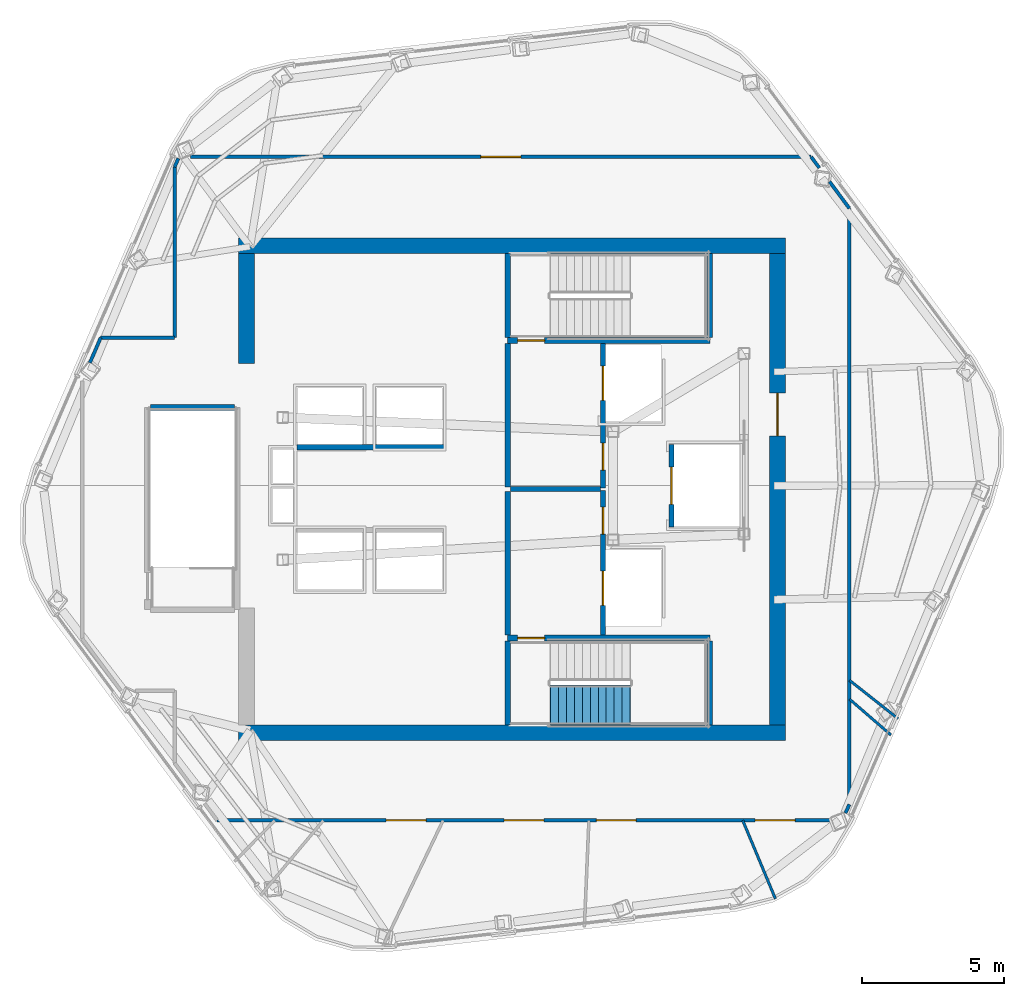
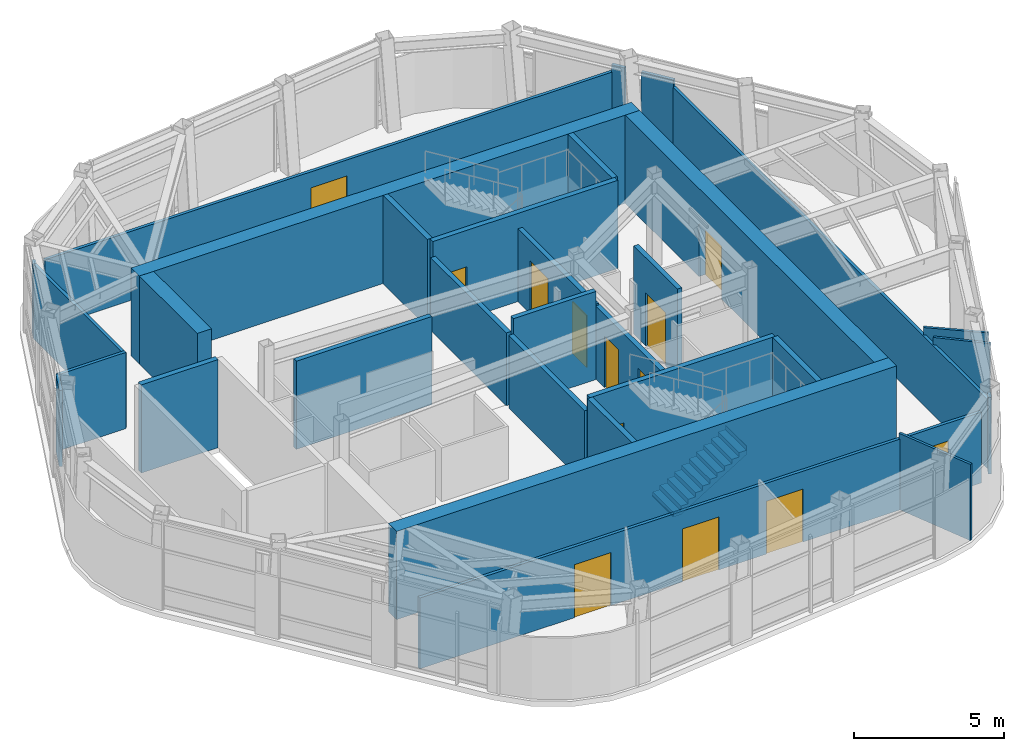
# One storey, part 6 of 11: 31 walls, 13 doors, 1 stair flight, 13 openings, 1 element without a shape of its own.
"""IFC4 building model written with IfcOpenShell, lengths in metres."""

from ifc_helpers import new_model, si_unit, direction, frame, frame_2d, origin, place, context, subcontext, project, spatial, polyline, rectangle, outline, extrude, material, layer, layer_set, type_object, element, fill, aggregate, save


model = new_model("IFC4")

# Units and contexts
model_context = context("Model", 3, precision=1e-05, world=origin(), true_north=direction((0.0, 1.0)))
body_context = subcontext(model_context, "Body", "Model", "MODEL_VIEW")
ifc_project = project(units=[si_unit("LENGTHUNIT", "METRE"), si_unit("AREAUNIT", "SQUARE_METRE"), si_unit("VOLUMEUNIT", "CUBIC_METRE"), si_unit("PLANEANGLEUNIT", "RADIAN"), si_unit("MASSUNIT", "GRAM", prefix="KILO")], contexts=[model_context])

# Site, building, storey
site_placement = place(None, origin())
site = spatial("IfcSite", under=ifc_project, at=site_placement, CompositionType="ELEMENT")
building_placement = place(site_placement, origin())
building = spatial("IfcBuilding", under=site, at=building_placement, Name="Valkerne Bourse Tower", CompositionType="ELEMENT")
storey_placement = place(building_placement, frame((0.0, 0.0, 311.60009765625)))
storey = spatial("IfcBuildingStorey", under=building, at=storey_placement, Name="L79", CompositionType="ELEMENT", Elevation=311.60009765625)

# Walls
ifc_material_1 = material(Name="Concrete C55/67", Category="concrete")
ifc_layer_1 = layer(ifc_material_1, 0.550048828125)
ifc_layer_set_1 = layer_set([ifc_layer_1], Name="Concrete C55/67")
wall_type_1 = type_object("IfcWallType", Name="W-CORE-550", PredefinedType="SHEAR", material=ifc_layer_set_1)
for number, where, z_axis, x_axis, name in (
    (1, (37.199951171875, 18.324951171875, 0.0), (0.0, 0.0, 1.0), (1.0, 0.0, 0.0), "L79 Core Shear Wall SOUTH"),
    (2, (37.199951171875, 35.425048828125, 0.0), (0.0, 0.0, 1.0), (1.0, 0.0, 0.0), "L79 Core Shear Wall NORTH"),
):
    element("IfcWall", number, at=place(storey_placement, frame(where, z_axis=z_axis, x_axis=x_axis)), inside=storey, type_object=wall_type_1, Name=name, PredefinedType="SHEAR", context=body_context, shape_type="SweptSolid", body=[
        extrude(rectangle(XDim=19.199951171875, YDim=0.550048828125, at=frame_2d((9.60009765625, 0.0))), origin(), (0.0, 0.0, 1.0), 3.579833984375),
    ])

# Wall, opening, door
wall_1_placement = place(storey_placement, frame((56.125, 18.60009765625, 0.0), z_axis=(0.0, 0.0, 1.0), x_axis=(0.0, 1.0, 0.0)))
wall_1 = element("IfcWall", 3, at=wall_1_placement, inside=storey, type_object=wall_type_1, Name="L79 Core Shear Wall EAST", PredefinedType="SHEAR", context=body_context, shape_type="SweptSolid", body=[
    extrude(rectangle(XDim=16.5498046875, YDim=0.550048828125, at=frame_2d((8.27490234375, 0.0))), origin(), (0.0, 0.0, 1.0), 3.579833984375),
])
opening_1_placement = place(wall_1_placement, frame((10.14990234375, 0.0, 0.0)))
opening_1 = element("IfcOpeningElement", 4, at=opening_1_placement, cuts=wall_1, Name="Opening D-CR-1500", PredefinedType="OPENING", context=body_context, shape_type="SweptSolid", body=[
    extrude(rectangle(XDim=1.5, YDim=2.14990234375, at=frame_2d((0.75, 1.074951171875))), frame((0.0, 0.284912109375, 0.0), z_axis=(0.0, -1.0, 0.0), x_axis=(1.0, 0.0, 0.0)), (0.0, 0.0, 1.0), 0.570068359375),
])
ifc_material_2 = material(Name="Galvanised Painted Steel", Category="steel")
door_type_1 = type_object("IfcDoorType", Name="DR-CORR-1500", OperationType="DOUBLE_DOOR_SINGLE_SWING", PredefinedType="DOOR", material=ifc_material_2)
door_1_placement = place(opening_1_placement, origin())
door_1 = element("IfcDoor", 5, at=door_1_placement, inside=storey, type_object=door_type_1, Name="L79 East Core Service Lobby Fire Door", OperationType="DOUBLE_DOOR_SINGLE_SWING", OverallHeight=2.14990234375, OverallWidth=1.5, PredefinedType="DOOR", context=body_context, shape_type="SweptSolid", body=[
    extrude(rectangle(XDim=1.5, YDim=2.14990234375, at=frame_2d((0.75, 1.074951171875))), frame((0.0, 0.02490234375, 0.0), z_axis=(0.0, -1.0, 0.0), x_axis=(1.0, 0.0, 0.0)), (0.0, 0.0, 1.0), 0.050048828125),
])
fill(opening_1, door_1)

# Walls
wall_2_placement = place(storey_placement, frame((37.47509765625, 31.300048828125, 0.0), z_axis=(0.0, 0.0, 1.0), x_axis=(0.0, 1.0, 0.0)))
element("IfcWall", 6, at=wall_2_placement, inside=storey, type_object=wall_type_1, Name="L79 Core Shear Wall WEST-N", PredefinedType="SHEAR", context=body_context, shape_type="SweptSolid", body=[
    extrude(rectangle(XDim=3.849853515625, YDim=0.550048828125, at=frame_2d((1.9248046875, 0.0))), origin(), (0.0, 0.0, 1.0), 3.579833984375),
])
ifc_material_3 = material(Name="Gypsum Board Steel-Stud Partition", Category="steel")
ifc_layer_2 = layer(ifc_material_3, 0.117919921875)
ifc_layer_set_2 = layer_set([ifc_layer_2], Name="Gypsum Board Steel-Stud Partition")
wall_type_2 = type_object("IfcWallType", Name="W-CORR-140", PredefinedType="PARTITIONING", material=ifc_layer_set_2)
wall_3_placement = place(storey_placement, frame((32.35546875, 32.199951171875, 0.0), z_axis=(0.0, 0.0, 1.0), x_axis=(1.0, 0.0, 0.0)))
element("IfcWall", 7, at=wall_3_placement, inside=storey, type_object=wall_type_2, Name="L79 Corridor Enclosure Wall", PredefinedType="PARTITIONING", context=body_context, shape_type="SweptSolid", body=[
    extrude(rectangle(XDim=2.594482421875, YDim=0.117919921875, at=frame_2d((1.29736328125, 0.0))), origin(), (0.0, 0.0, 1.0), 3.094970703125),
])
wall_4_placement = place(storey_placement, frame((34.949951171875, 32.199951171875, 0.0), z_axis=(0.0, 0.0, 1.0), x_axis=(0.0, 1.0, 0.0)))
element("IfcWall", 8, at=wall_4_placement, inside=storey, type_object=wall_type_2, Name="L79 Corridor Enclosure Wall", PredefinedType="PARTITIONING", context=body_context, shape_type="SweptSolid", body=[
    extrude(rectangle(XDim=5.99560546875, YDim=0.117919921875, at=frame_2d((2.997802734375, 0.0))), origin(), (0.0, 0.0, 1.0), 3.021240234375),
])
wall_5_placement = place(storey_placement, frame((34.949951171875, 38.195556640625, 0.0), z_axis=(0.0, 0.0, 1.0), x_axis=(0.397669783365, 0.917528606311, 0.0)))
element("IfcWall", 9, at=wall_5_placement, inside=storey, type_object=wall_type_2, Name="L79 Corridor Enclosure Wall", PredefinedType="PARTITIONING", context=body_context, shape_type="SweptSolid", body=[
    extrude(rectangle(XDim=0.32958984375, YDim=0.117919921875, at=frame_2d((0.164794921875, 0.0))), origin(), (0.0, 0.0, 1.0), 2.962890625),
])

# Wall, opening, door
wall_6_placement = place(storey_placement, frame((35.51123046875, 38.550048828125, 0.0), z_axis=(0.0, 0.0, 1.0), x_axis=(1.0, 0.0, 0.0)))
wall_6 = element("IfcWall", 10, at=wall_6_placement, inside=storey, type_object=wall_type_2, Name="L79 Corridor Enclosure Wall", PredefinedType="PARTITIONING", context=body_context, shape_type="SweptSolid", body=[
    extrude(rectangle(XDim=21.7958984375, YDim=0.117919921875, at=frame_2d((10.89794921875, 0.0))), origin(), (0.0, 0.0, 1.0), 2.80029296875),
])
opening_2_placement = place(wall_6_placement, frame((10.197998046875, 0.0, 0.0)))
opening_2 = element("IfcOpeningElement", 11, at=opening_2_placement, cuts=wall_6, Name="Opening D-PL-1400", PredefinedType="OPENING", context=body_context, shape_type="SweptSolid", body=[
    extrude(rectangle(XDim=1.39990234375, YDim=2.14990234375, at=frame_2d((0.699951171875, 1.074951171875))), frame((0.0, 0.06884765625, 0.0), z_axis=(0.0, -1.0, 0.0), x_axis=(1.0, 0.0, 0.0)), (0.0, 0.0, 1.0), 0.137939453125),
])
door_type_2 = type_object("IfcDoorType", Name="DR-PLT-1400", OperationType="DOUBLE_DOOR_SINGLE_SWING", PredefinedType="DOOR", material=ifc_material_2)
door_2_placement = place(opening_2_placement, origin())
door_2 = element("IfcDoor", 12, at=door_2_placement, inside=storey, type_object=door_type_2, Name="L79 L79 Crown Fresh-Air AHU Mechanical Plant Room 5 Door", OperationType="DOUBLE_DOOR_SINGLE_SWING", OverallHeight=2.14990234375, OverallWidth=1.39990234375, PredefinedType="DOOR", context=body_context, shape_type="SweptSolid", body=[
    extrude(rectangle(XDim=1.39990234375, YDim=2.14990234375, at=frame_2d((0.699951171875, 1.074951171875))), frame((0.0, 0.02490234375, 0.0), z_axis=(0.0, -1.0, 0.0), x_axis=(1.0, 0.0, 0.0)), (0.0, 0.0, 1.0), 0.050048828125),
])
fill(opening_2, door_2)

# Walls
wall_7_placement = place(storey_placement, frame((57.30712890625, 38.550048828125, 0.0), z_axis=(0.0, 0.0, 1.0), x_axis=(0.596351939021, -0.802723093492, 0.0)))
element("IfcWall", 13, at=wall_7_placement, inside=storey, type_object=wall_type_2, Name="L79 Corridor Enclosure Wall", PredefinedType="PARTITIONING", context=body_context, shape_type="SweptSolid", body=[
    extrude(rectangle(XDim=0.482666015625, YDim=0.117919921875, at=frame_2d((0.2412109375, 0.0))), origin(), (0.0, 0.0, 1.0), 3.094970703125),
])
wall_8_placement = place(storey_placement, frame((57.95263671875, 37.680908203125, 0.0), z_axis=(0.0, 0.0, 1.0), x_axis=(0.596085727692, -0.802920796369, 0.0)))
element("IfcWall", 14, at=wall_8_placement, inside=storey, type_object=wall_type_2, Name="L79 Corridor Enclosure Wall", PredefinedType="PARTITIONING", context=body_context, shape_type="SweptSolid", body=[
    extrude(rectangle(XDim=1.169677734375, YDim=0.117919921875, at=frame_2d((0.5849609375, 0.0))), origin(), (0.0, 0.0, 1.0), 3.094970703125),
])
wall_9_placement = place(storey_placement, frame((58.64990234375, 36.74169921875, 0.0), z_axis=(0.0, 0.0, 1.0), x_axis=(0.0, -1.0, 0.0)))
element("IfcWall", 15, at=wall_9_placement, inside=storey, type_object=wall_type_2, Name="L79 Corridor Enclosure Wall", PredefinedType="PARTITIONING", context=body_context, shape_type="SweptSolid", body=[
    extrude(rectangle(XDim=20.937255859375, YDim=0.117919921875, at=frame_2d((10.46875, 0.0))), origin(), (0.0, 0.0, 1.0), 2.80029296875),
])
wall_10_placement = place(storey_placement, frame((58.64990234375, 15.804443359375, 0.0), z_axis=(0.0, 0.0, 1.0), x_axis=(-0.418259954287, -0.908327369752, 0.0)))
element("IfcWall", 16, at=wall_10_placement, inside=storey, type_object=wall_type_2, Name="L79 Corridor Enclosure Wall", PredefinedType="PARTITIONING", context=body_context, shape_type="SweptSolid", body=[
    extrude(rectangle(XDim=0.329833984375, YDim=0.117919921875, at=frame_2d((0.1650390625, 0.0))), origin(), (0.0, 0.0, 1.0), 3.094970703125),
])

# Wall, openings, doors
wall_11_placement = place(storey_placement, frame((58.002197265625, 15.25, 0.0), z_axis=(0.0, 0.0, 1.0), x_axis=(-1.0, 0.0, 0.0)))
wall_11 = element("IfcWall", 17, at=wall_11_placement, inside=storey, type_object=wall_type_2, Name="L79 Corridor Enclosure Wall", PredefinedType="PARTITIONING", context=body_context, shape_type="SweptSolid", body=[
    extrude(rectangle(XDim=21.560791015625, YDim=0.117919921875, at=frame_2d((10.7802734375, 0.0))), origin(), (0.0, 0.0, 1.0), 2.87646484375),
])
opening_3_placement = place(wall_11_placement, frame((14.220458984375, 0.0, 0.0)))
opening_3 = element("IfcOpeningElement", 18, at=opening_3_placement, cuts=wall_11, Name="Opening D-PL-1400", PredefinedType="OPENING", context=body_context, shape_type="SweptSolid", body=[
    extrude(rectangle(XDim=1.39990234375, YDim=2.14990234375, at=frame_2d((0.699951171875, 1.074951171875))), frame((0.0, 0.06884765625, 0.0), z_axis=(0.0, -1.0, 0.0), x_axis=(1.0, 0.0, 0.0)), (0.0, 0.0, 1.0), 0.137939453125),
])
opening_4_placement = place(wall_11_placement, frame((10.080322265625, 0.0, 0.0)))
opening_4 = element("IfcOpeningElement", 19, at=opening_4_placement, cuts=wall_11, Name="Opening D-PL-1400", PredefinedType="OPENING", context=body_context, shape_type="SweptSolid", body=[
    extrude(rectangle(XDim=1.39990234375, YDim=2.14990234375, at=frame_2d((0.699951171875, 1.074951171875))), frame((0.0, 0.06884765625, 0.0), z_axis=(0.0, -1.0, 0.0), x_axis=(1.0, 0.0, 0.0)), (0.0, 0.0, 1.0), 0.137939453125),
])
opening_5_placement = place(wall_11_placement, frame((6.84033203125, 0.0, 0.0)))
opening_5 = element("IfcOpeningElement", 20, at=opening_5_placement, cuts=wall_11, Name="Opening D-PL-1400", PredefinedType="OPENING", context=body_context, shape_type="SweptSolid", body=[
    extrude(rectangle(XDim=1.39990234375, YDim=2.14990234375, at=frame_2d((0.699951171875, 1.074951171875))), frame((0.0, 0.06884765625, 0.0), z_axis=(0.0, -1.0, 0.0), x_axis=(1.0, 0.0, 0.0)), (0.0, 0.0, 1.0), 0.137939453125),
])
opening_6_placement = place(wall_11_placement, frame((1.260498046875, 0.0, 0.0)))
opening_6 = element("IfcOpeningElement", 21, at=opening_6_placement, cuts=wall_11, Name="Opening D-PL-1400", PredefinedType="OPENING", context=body_context, shape_type="SweptSolid", body=[
    extrude(rectangle(XDim=1.39990234375, YDim=2.14990234375, at=frame_2d((0.699951171875, 1.074951171875))), frame((0.0, 0.06884765625, 0.0), z_axis=(0.0, -1.0, 0.0), x_axis=(1.0, 0.0, 0.0)), (0.0, 0.0, 1.0), 0.137939453125),
])
door_3_placement = place(opening_3_placement, origin())
door_3 = element("IfcDoor", 22, at=door_3_placement, inside=storey, type_object=door_type_2, Name="L79 L79 Central Centrifugal Chiller Mechanical Plant Room 1 Door", OperationType="DOUBLE_DOOR_SINGLE_SWING", OverallHeight=2.14990234375, OverallWidth=1.39990234375, PredefinedType="DOOR", context=body_context, shape_type="SweptSolid", body=[
    extrude(rectangle(XDim=1.39990234375, YDim=2.14990234375, at=frame_2d((0.699951171875, 1.074951171875))), frame((0.0, 0.02490234375, 0.0), z_axis=(0.0, -1.0, 0.0), x_axis=(1.0, 0.0, 0.0)), (0.0, 0.0, 1.0), 0.050048828125),
])
fill(opening_3, door_3)
door_4_placement = place(opening_4_placement, origin())
door_4 = element("IfcDoor", 23, at=door_4_placement, inside=storey, type_object=door_type_2, Name="L79 L79 Condensing Heating Boiler Mechanical Plant Room 2 Door", OperationType="DOUBLE_DOOR_SINGLE_SWING", OverallHeight=2.14990234375, OverallWidth=1.39990234375, PredefinedType="DOOR", context=body_context, shape_type="SweptSolid", body=[
    extrude(rectangle(XDim=1.39990234375, YDim=2.14990234375, at=frame_2d((0.699951171875, 1.074951171875))), frame((0.0, 0.02490234375, 0.0), z_axis=(0.0, -1.0, 0.0), x_axis=(1.0, 0.0, 0.0)), (0.0, 0.0, 1.0), 0.050048828125),
])
fill(opening_4, door_4)
door_5_placement = place(opening_5_placement, origin())
door_5 = element("IfcDoor", 24, at=door_5_placement, inside=storey, type_object=door_type_2, Name="L79 L79 Crown 12.47 kV Electrical Switchroom Plant 3 Door", OperationType="DOUBLE_DOOR_SINGLE_SWING", OverallHeight=2.14990234375, OverallWidth=1.39990234375, PredefinedType="DOOR", context=body_context, shape_type="SweptSolid", body=[
    extrude(rectangle(XDim=1.39990234375, YDim=2.14990234375, at=frame_2d((0.699951171875, 1.074951171875))), frame((0.0, 0.02490234375, 0.0), z_axis=(0.0, -1.0, 0.0), x_axis=(1.0, 0.0, 0.0)), (0.0, 0.0, 1.0), 0.050048828125),
])
fill(opening_5, door_5)
door_6_placement = place(opening_6_placement, origin())
door_6 = element("IfcDoor", 25, at=door_6_placement, inside=storey, type_object=door_type_2, Name="L79 L79 Crown Building Automation Mechanical Plant Room 4 Door", OperationType="DOUBLE_DOOR_SINGLE_SWING", OverallHeight=2.14990234375, OverallWidth=1.39990234375, PredefinedType="DOOR", context=body_context, shape_type="SweptSolid", body=[
    extrude(rectangle(XDim=1.39990234375, YDim=2.14990234375, at=frame_2d((0.699951171875, 1.074951171875))), frame((0.0, 0.02490234375, 0.0), z_axis=(0.0, -1.0, 0.0), x_axis=(1.0, 0.0, 0.0)), (0.0, 0.0, 1.0), 0.050048828125),
])
fill(opening_6, door_6)

# Walls
wall_12_placement = place(storey_placement, frame((31.973876953125, 31.318115234375, 0.0), z_axis=(0.0, 0.0, 1.0), x_axis=(0.39713676726, 0.917759439118, 0.0)))
element("IfcWall", 26, at=wall_12_placement, inside=storey, type_object=wall_type_2, Name="L79 Corridor Enclosure Wall", PredefinedType="PARTITIONING", context=body_context, shape_type="SweptSolid", body=[
    extrude(rectangle(XDim=0.9609375, YDim=0.117919921875, at=frame_2d((0.48046875, 0.0))), origin(), (0.0, 0.0, 1.0), 3.094970703125),
])
ifc_material_4 = material(Name="Gypsum Fire-Rated Shaftwall", Category="gypsum")
ifc_layer_3 = layer(ifc_material_4, 0.179931640625)
ifc_layer_set_3 = layer_set([ifc_layer_3], Name="Gypsum Fire-Rated Shaftwall")
wall_type_3 = type_object("IfcWallType", Name="W-FSAE-180", PredefinedType="PARTITIONING", material=ifc_layer_set_3)
wall_13_placement = place(storey_placement, frame((46.739990234375, 26.8798828125, 0.0), z_axis=(0.0, 0.0, 1.0), x_axis=(1.0, 0.0, 0.0)))
element("IfcWall", 27, at=wall_13_placement, inside=storey, type_object=wall_type_3, Name="L79 FSAE-1/2 Lobby Dividing Fire Wall", PredefinedType="PARTITIONING", context=body_context, shape_type="SweptSolid", body=[
    extrude(rectangle(XDim=3.169921875, YDim=0.179931640625, at=frame_2d((1.5849609375, 0.0))), origin(), (0.0, 0.0, 1.0), 3.579833984375),
])
wall_14_placement = place(storey_placement, frame((46.64990234375, 21.75, 0.0), z_axis=(0.0, 0.0, 1.0), x_axis=(0.0, 1.0, 0.0)))
element("IfcWall", 28, at=wall_14_placement, inside=storey, type_object=wall_type_3, Name="L79 FSAE-1 Lobby West Fire Wall", PredefinedType="PARTITIONING", context=body_context, shape_type="SweptSolid", body=[
    extrude(rectangle(XDim=5.050048828125, YDim=0.179931640625, at=frame_2d((2.52490234375, 0.0))), origin(), (0.0, 0.0, 1.0), 2.957763671875),
])
wall_15_placement = place(storey_placement, frame((46.64990234375, 26.9599609375, 0.0), z_axis=(0.0, 0.0, 1.0), x_axis=(0.0, 1.0, 0.0)))
element("IfcWall", 29, at=wall_15_placement, inside=storey, type_object=wall_type_3, Name="L79 FSAE-2 Lobby West Fire Wall", PredefinedType="PARTITIONING", context=body_context, shape_type="SweptSolid", body=[
    extrude(rectangle(XDim=5.0400390625, YDim=0.179931640625, at=frame_2d((2.52001953125, 0.0))), origin(), (0.0, 0.0, 1.0), 2.957763671875),
])

# Wall, openings, doors
wall_16_placement = place(storey_placement, frame((50.0, 21.75, 0.0), z_axis=(0.0, 0.0, 1.0), x_axis=(0.0, 1.0, 0.0)))
wall_16 = element("IfcWall", 30, at=wall_16_placement, inside=storey, type_object=wall_type_3, Name="L79 FSAE-1 Lobby & Shaft Front Wall", PredefinedType="PARTITIONING", context=body_context, shape_type="SweptSolid", body=[
    extrude(rectangle(XDim=5.090087890625, YDim=0.179931640625, at=frame_2d((2.544921875, 0.0))), origin(), (0.0, 0.0, 1.0), 2.957763671875),
])
opening_7_placement = place(wall_16_placement, frame((1.050048828125, 0.0, 0.0)))
opening_7 = element("IfcOpeningElement", 31, at=opening_7_placement, cuts=wall_16, Name="Opening LD-1200", PredefinedType="OPENING", context=body_context, shape_type="SweptSolid", body=[
    extrude(rectangle(XDim=1.199951171875, YDim=2.14990234375, at=frame_2d((0.60009765625, 1.074951171875))), frame((0.0, 0.099853515625, 0.0), z_axis=(0.0, -1.0, 0.0), x_axis=(1.0, 0.0, 0.0)), (0.0, 0.0, 1.0), 0.199951171875),
])
opening_8_placement = place(wall_16_placement, frame((3.550048828125, 0.0, 0.0)))
opening_8 = element("IfcOpeningElement", 32, at=opening_8_placement, cuts=wall_16, Name="Opening D-FS-950", PredefinedType="OPENING", context=body_context, shape_type="SweptSolid", body=[
    extrude(rectangle(XDim=0.949951171875, YDim=2.10009765625, at=frame_2d((0.47509765625, 1.050048828125))), frame((0.0, 0.099853515625, 0.0), z_axis=(0.0, -1.0, 0.0), x_axis=(1.0, 0.0, 0.0)), (0.0, 0.0, 1.0), 0.199951171875),
])
door_type_3 = type_object("IfcDoorType", Name="DR-FSAE-950", OperationType="NOTDEFINED", PredefinedType="DOOR", material=ifc_material_2)
door_7_placement = place(opening_8_placement, origin())
door_7 = element("IfcDoor", 33, at=door_7_placement, inside=storey, type_object=door_type_3, Name="L79 FSAE-1 Lobby Corridor Fire Door", OperationType="SINGLE_SWING_RIGHT", OverallHeight=2.10009765625, OverallWidth=0.949951171875, PredefinedType="DOOR", context=body_context, shape_type="SweptSolid", body=[
    extrude(rectangle(XDim=0.949951171875, YDim=2.10009765625, at=frame_2d((0.47509765625, 1.050048828125))), frame((0.0, 0.02490234375, 0.0), z_axis=(0.0, -1.0, 0.0), x_axis=(1.0, 0.0, 0.0)), (0.0, 0.0, 1.0), 0.050048828125),
])
fill(opening_8, door_7)
ifc_material_5 = material(Name="Stainless Steel AISI 316", Category="steel")
door_type_4 = type_object("IfcDoorType", Name="DR-LIFT-1200", OperationType="DOUBLE_DOOR_SLIDING", PredefinedType="DOOR", material=ifc_material_5)
door_8_placement = place(opening_7_placement, origin())
door_8 = element("IfcDoor", 34, at=door_8_placement, inside=storey, type_object=door_type_4, Name="L79 FSAE-1 Firefighting Lift Landing Door", OperationType="DOUBLE_DOOR_SLIDING", OverallHeight=2.14990234375, OverallWidth=1.199951171875, PredefinedType="DOOR", context=body_context, shape_type="SweptSolid", body=[
    extrude(rectangle(XDim=1.199951171875, YDim=2.14990234375, at=frame_2d((0.60009765625, 1.074951171875))), frame((0.0, 0.02490234375, 0.0), z_axis=(0.0, -1.0, 0.0), x_axis=(1.0, 0.0, 0.0)), (0.0, 0.0, 1.0), 0.050048828125),
])
fill(opening_7, door_8)

wall_17_placement = place(storey_placement, frame((50.0, 26.919921875, 0.0), z_axis=(0.0, 0.0, 1.0), x_axis=(0.0, 1.0, 0.0)))
wall_17 = element("IfcWall", 35, at=wall_17_placement, inside=storey, type_object=wall_type_3, Name="L79 FSAE-2 Lobby & Shaft Front Wall", PredefinedType="PARTITIONING", context=body_context, shape_type="SweptSolid", body=[
    extrude(rectangle(XDim=5.080078125, YDim=0.179931640625, at=frame_2d((2.5400390625, 0.0))), origin(), (0.0, 0.0, 1.0), 2.957763671875),
])
opening_9_placement = place(wall_17_placement, frame((3.080078125, 0.0, 0.0)))
opening_9 = element("IfcOpeningElement", 36, at=opening_9_placement, cuts=wall_17, Name="Opening LD-1200", PredefinedType="OPENING", context=body_context, shape_type="SweptSolid", body=[
    extrude(rectangle(XDim=1.199951171875, YDim=2.14990234375, at=frame_2d((0.60009765625, 1.074951171875))), frame((0.0, 0.099853515625, 0.0), z_axis=(0.0, -1.0, 0.0), x_axis=(1.0, 0.0, 0.0)), (0.0, 0.0, 1.0), 0.199951171875),
])
opening_10_placement = place(wall_17_placement, frame((0.6298828125, 0.0, 0.0)))
opening_10 = element("IfcOpeningElement", 37, at=opening_10_placement, cuts=wall_17, Name="Opening D-FS-950", PredefinedType="OPENING", context=body_context, shape_type="SweptSolid", body=[
    extrude(rectangle(XDim=0.949951171875, YDim=2.10009765625, at=frame_2d((0.47509765625, 1.050048828125))), frame((0.0, 0.099853515625, 0.0), z_axis=(0.0, -1.0, 0.0), x_axis=(1.0, 0.0, 0.0)), (0.0, 0.0, 1.0), 0.199951171875),
])
door_9_placement = place(opening_10_placement, origin())
door_9 = element("IfcDoor", 38, at=door_9_placement, inside=storey, type_object=door_type_3, Name="L79 FSAE-2 Lobby Corridor Fire Door", OperationType="SINGLE_SWING_RIGHT", OverallHeight=2.10009765625, OverallWidth=0.949951171875, PredefinedType="DOOR", context=body_context, shape_type="SweptSolid", body=[
    extrude(rectangle(XDim=0.949951171875, YDim=2.10009765625, at=frame_2d((0.47509765625, 1.050048828125))), frame((0.0, 0.02490234375, 0.0), z_axis=(0.0, -1.0, 0.0), x_axis=(1.0, 0.0, 0.0)), (0.0, 0.0, 1.0), 0.050048828125),
])
fill(opening_10, door_9)
door_10_placement = place(opening_9_placement, origin())
door_10 = element("IfcDoor", 39, at=door_10_placement, inside=storey, type_object=door_type_4, Name="L79 FSAE-2 Firefighting Lift Landing Door", OperationType="DOUBLE_DOOR_SLIDING", OverallHeight=2.14990234375, OverallWidth=1.199951171875, PredefinedType="DOOR", context=body_context, shape_type="SweptSolid", body=[
    extrude(rectangle(XDim=1.199951171875, YDim=2.14990234375, at=frame_2d((0.60009765625, 1.074951171875))), frame((0.0, 0.02490234375, 0.0), z_axis=(0.0, -1.0, 0.0), x_axis=(1.0, 0.0, 0.0)), (0.0, 0.0, 1.0), 0.050048828125),
])
fill(opening_9, door_10)

# Wall, opening, door
ifc_material_6 = material(Name="CMU Blockwork Masonry 200mm", Category="masonry")
ifc_layer_4 = layer(ifc_material_6, 0.179931640625)
ifc_layer_set_4 = layer_set([ifc_layer_4], Name="CMU Blockwork Masonry 200mm")
wall_type_4 = type_object("IfcWallType", Name="W-LFT-180", PredefinedType="SOLIDWALL", material=ifc_layer_set_4)
wall_18_placement = place(storey_placement, frame((52.39990234375, 25.550048828125, 0.0), z_axis=(0.0, 0.0, 1.0), x_axis=(0.0, 1.0, 0.0)))
wall_18 = element("IfcWall", 40, at=wall_18_placement, inside=storey, type_object=wall_type_4, Name="L79 Service Lift SV-1 Front Wall", PredefinedType="SOLIDWALL", context=body_context, shape_type="SweptSolid", body=[
    extrude(rectangle(XDim=2.89990234375, YDim=0.179931640625, at=frame_2d((1.449951171875, 0.0))), origin(), (0.0, 0.0, 1.0), 3.579833984375),
])
opening_11_placement = place(wall_18_placement, frame((0.800048828125, 0.0, 0.0)))
opening_11 = element("IfcOpeningElement", 41, at=opening_11_placement, cuts=wall_18, Name="Opening LD-1300", PredefinedType="OPENING", context=body_context, shape_type="SweptSolid", body=[
    extrude(rectangle(XDim=1.300048828125, YDim=2.14990234375, at=frame_2d((0.64990234375, 1.074951171875))), frame((0.0, 0.099853515625, 0.0), z_axis=(0.0, -1.0, 0.0), x_axis=(1.0, 0.0, 0.0)), (0.0, 0.0, 1.0), 0.199951171875),
])
door_type_5 = type_object("IfcDoorType", Name="DR-LIFT-1300", OperationType="DOUBLE_DOOR_SLIDING", PredefinedType="DOOR", material=ifc_material_5)
door_11_placement = place(opening_11_placement, origin())
door_11 = element("IfcDoor", 42, at=door_11_placement, inside=storey, type_object=door_type_5, Name="L79 Service Lift SV-1 Landing Door", OperationType="DOUBLE_DOOR_SLIDING", OverallHeight=2.14990234375, OverallWidth=1.300048828125, PredefinedType="DOOR", context=body_context, shape_type="SweptSolid", body=[
    extrude(rectangle(XDim=1.300048828125, YDim=2.14990234375, at=frame_2d((0.64990234375, 1.074951171875))), frame((0.0, 0.02490234375, 0.0), z_axis=(0.0, -1.0, 0.0), x_axis=(1.0, 0.0, 0.0)), (0.0, 0.0, 1.0), 0.050048828125),
])
fill(opening_11, door_11)

# Walls
wall_19_placement = place(storey_placement, frame((39.25, 28.35009765625, 0.0), z_axis=(0.0, 0.0, 1.0), x_axis=(1.0, 0.0, 0.0)))
element("IfcWall", 43, at=wall_19_placement, inside=storey, type_object=wall_type_4, Name="L79 High-Zone North Cars Front Wall", PredefinedType="SOLIDWALL", context=body_context, shape_type="SweptSolid", body=[
    extrude(rectangle(XDim=5.199951171875, YDim=0.179931640625, at=frame_2d((2.60009765625, 0.0))), origin(), (0.0, 0.0, 1.0), 3.579833984375),
])
ifc_layer_5 = layer(ifc_material_3, 0.092041015625)
ifc_layer_set_5 = layer_set([ifc_layer_5], Name="Gypsum Board Steel-Stud Partition")
wall_type_5 = type_object("IfcWallType", Name="W-PART-115", PredefinedType="PARTITIONING", material=ifc_layer_set_5)
wall_20_placement = place(storey_placement, frame((58.655029296875, 20.165771484375, 0.0), z_axis=(0.0, 0.0, 1.0), x_axis=(0.784836692729, -0.619702643004, 0.0)))
element("IfcWall", 44, at=wall_20_placement, inside=storey, type_object=wall_type_5, Name="L79 Suite Partition P01", PredefinedType="PARTITIONING", context=body_context, shape_type="SweptSolid", body=[
    extrude(rectangle(XDim=2.17041015625, YDim=0.092041015625, at=frame_2d((1.085205078125, 0.0))), origin(), (0.0, 0.0, 1.0), 3.094970703125),
])
wall_21_placement = place(storey_placement, frame((54.904052734375, 15.2451171875, 0.0), z_axis=(0.0, 0.0, 1.0), x_axis=(0.384981460995, -0.922924306046, 0.0)))
element("IfcWall", 45, at=wall_21_placement, inside=storey, type_object=wall_type_5, Name="L79 Suite Partition P02", PredefinedType="PARTITIONING", context=body_context, shape_type="SweptSolid", body=[
    extrude(rectangle(XDim=2.983154296875, YDim=0.092041015625, at=frame_2d((1.49169921875, 0.0))), origin(), (0.0, 0.0, 1.0), 3.094970703125),
])
wall_22_placement = place(storey_placement, frame((58.655029296875, 19.5048828125, 0.0), z_axis=(0.0, 0.0, 1.0), x_axis=(0.755923503349, -0.654659955309, 0.0)))
element("IfcWall", 46, at=wall_22_placement, inside=storey, type_object=wall_type_5, Name="L79 Suite Partition P07", PredefinedType="PARTITIONING", context=body_context, shape_type="SweptSolid", body=[
    extrude(rectangle(XDim=1.923828125, YDim=0.092041015625, at=frame_2d((0.9619140625, 0.0))), origin(), (0.0, 0.0, 1.0), 3.094970703125),
])

# Wall, opening, door
ifc_material_7 = material(Name="Concrete C40/50", Category="concrete")
ifc_layer_6 = layer(ifc_material_7, 0.199951171875)
ifc_layer_set_6 = layer_set([ifc_layer_6], Name="Concrete C40/50")
wall_type_6 = type_object("IfcWallType", Name="W-SHF-200", PredefinedType="SHEAR", material=ifc_layer_set_6)
wall_23_placement = place(storey_placement, frame((46.64990234375, 21.64990234375, 0.0), z_axis=(0.0, 0.0, 1.0), x_axis=(1.0, 0.0, 0.0)))
wall_23 = element("IfcWall", 47, at=wall_23_placement, inside=storey, type_object=wall_type_6, Name="L79 Exit Stair ST-1 Structural Shaft Wall North", PredefinedType="SHEAR", context=body_context, shape_type="SweptSolid", body=[
    extrude(rectangle(XDim=7.10009765625, YDim=0.199951171875, at=frame_2d((3.550048828125, 0.0))), origin(), (0.0, 0.0, 1.0), 3.579833984375),
])
opening_12_placement = place(wall_23_placement, frame((0.35009765625, 0.0, 0.0)))
opening_12 = element("IfcOpeningElement", 48, at=opening_12_placement, cuts=wall_23, Name="Opening D-ST-950", PredefinedType="OPENING", context=body_context, shape_type="SweptSolid", body=[
    extrude(rectangle(XDim=0.949951171875, YDim=2.10009765625, at=frame_2d((0.47509765625, 1.050048828125))), frame((0.0, 0.10986328125, 0.0), z_axis=(0.0, -1.0, 0.0), x_axis=(1.0, 0.0, 0.0)), (0.0, 0.0, 1.0), 0.219970703125),
])
door_type_6 = type_object("IfcDoorType", Name="DR-STAIR-950", OperationType="NOTDEFINED", PredefinedType="DOOR", material=ifc_material_2)
door_12_placement = place(opening_12_placement, origin())
door_12 = element("IfcDoor", 49, at=door_12_placement, inside=storey, type_object=door_type_6, Name="L79 Exit Stair ST-1 Door", OperationType="SINGLE_SWING_RIGHT", OverallHeight=2.10009765625, OverallWidth=0.949951171875, PredefinedType="DOOR", context=body_context, shape_type="SweptSolid", body=[
    extrude(rectangle(XDim=0.949951171875, YDim=2.10009765625, at=frame_2d((0.47509765625, 1.050048828125))), frame((0.0, 0.02490234375, 0.0), z_axis=(0.0, -1.0, 0.0), x_axis=(1.0, 0.0, 0.0)), (0.0, 0.0, 1.0), 0.050048828125),
])
fill(opening_12, door_12)

# Walls
for number, where, z_axis, x_axis, name in (
    (50, (46.64990234375, 18.60009765625, 0.0), (0.0, 0.0, 1.0), (0.0, 1.0, 0.0), "L79 Exit Stair ST-1 Structural Shaft Wall West"),
    (51, (53.75, 18.60009765625, 0.0), (0.0, 0.0, 1.0), (0.0, 1.0, 0.0), "L79 Exit Stair ST-1 Structural Shaft Wall East"),
):
    element("IfcWall", number, at=place(storey_placement, frame(where, z_axis=z_axis, x_axis=x_axis)), inside=storey, type_object=wall_type_6, Name=name, PredefinedType="SHEAR", context=body_context, shape_type="SweptSolid", body=[
        extrude(rectangle(XDim=2.949951171875, YDim=0.199951171875, at=frame_2d((1.47509765625, 0.0))), origin(), (0.0, 0.0, 1.0), 3.579833984375),
    ])

# Wall, opening, door
wall_24_placement = place(storey_placement, frame((46.64990234375, 32.10009765625, 0.0), z_axis=(0.0, 0.0, 1.0), x_axis=(1.0, 0.0, 0.0)))
wall_24 = element("IfcWall", 52, at=wall_24_placement, inside=storey, type_object=wall_type_6, Name="L79 Exit Stair ST-2 Structural Shaft Wall South", PredefinedType="SHEAR", context=body_context, shape_type="SweptSolid", body=[
    extrude(rectangle(XDim=7.10009765625, YDim=0.199951171875, at=frame_2d((3.550048828125, 0.0))), origin(), (0.0, 0.0, 1.0), 3.579833984375),
])
opening_13_placement = place(wall_24_placement, frame((0.35009765625, 0.0, 0.0)))
opening_13 = element("IfcOpeningElement", 53, at=opening_13_placement, cuts=wall_24, Name="Opening D-ST-950", PredefinedType="OPENING", context=body_context, shape_type="SweptSolid", body=[
    extrude(rectangle(XDim=0.949951171875, YDim=2.10009765625, at=frame_2d((0.47509765625, 1.050048828125))), frame((0.0, 0.10986328125, 0.0), z_axis=(0.0, -1.0, 0.0), x_axis=(1.0, 0.0, 0.0)), (0.0, 0.0, 1.0), 0.219970703125),
])
door_13_placement = place(opening_13_placement, origin())
door_13 = element("IfcDoor", 54, at=door_13_placement, inside=storey, type_object=door_type_6, Name="L79 Exit Stair ST-2 Door", OperationType="SINGLE_SWING_RIGHT", OverallHeight=2.10009765625, OverallWidth=0.949951171875, PredefinedType="DOOR", context=body_context, shape_type="SweptSolid", body=[
    extrude(rectangle(XDim=0.949951171875, YDim=2.10009765625, at=frame_2d((0.47509765625, 1.050048828125))), frame((0.0, 0.02490234375, 0.0), z_axis=(0.0, -1.0, 0.0), x_axis=(1.0, 0.0, 0.0)), (0.0, 0.0, 1.0), 0.050048828125),
])
fill(opening_13, door_13)

# Walls
for number, where, z_axis, x_axis, name in (
    (55, (46.64990234375, 32.199951171875, 0.0), (0.0, 0.0, 1.0), (0.0, 1.0, 0.0), "L79 Exit Stair ST-2 Structural Shaft Wall West"),
    (56, (53.75, 32.199951171875, 0.0), (0.0, 0.0, 1.0), (0.0, 1.0, 0.0), "L79 Exit Stair ST-2 Structural Shaft Wall East"),
    (57, (34.10009765625, 29.75, 0.0), (0.0, 0.0, 1.0), (1.0, 0.0, 0.0), "L79 Exit Stair ST-3 Structural Shaft Wall North"),
):
    element("IfcWall", number, at=place(storey_placement, frame(where, z_axis=z_axis, x_axis=x_axis)), inside=storey, type_object=wall_type_6, Name=name, PredefinedType="SHEAR", context=body_context, shape_type="SweptSolid", body=[
        extrude(rectangle(XDim=2.949951171875, YDim=0.199951171875, at=frame_2d((1.47509765625, 0.0))), origin(), (0.0, 0.0, 1.0), 3.579833984375),
    ])

# Stair, stair flight
stair_type = type_object("IfcStairType", Name="ST-CORE-1400", PredefinedType="HALF_TURN_STAIR", material=ifc_material_7)
stair_placement = place(storey_placement, origin())
stair = element("IfcStair", 58, at=stair_placement, inside=storey, type_object=stair_type, Name="L79 ST-1", PredefinedType="HALF_TURN_STAIR")
stair_flight_type = type_object("IfcStairFlightType", Name="STF-CORE-1400", PredefinedType="STRAIGHT", material=ifc_material_7)
stair_flight_placement = place(storey_placement, frame((48.14990234375, 19.300048828125, 0.0), z_axis=(0.0, 0.0, 1.0), x_axis=(1.0, 0.0, 0.0)))
stair_flight = element("IfcStairFlight", 59, at=stair_flight_placement, type_object=stair_flight_type, Name="ST-1 flight 1", NumberOfRisers=11, NumberOfTreads=10, PredefinedType="STRAIGHT", RiserHeight=0.172727273, TreadLength=0.28, context=body_context, shape_type="SweptSolid", body=[
    extrude(outline(polyline([(-0.02001953125, 0.0), (-0.02001953125, 0.044921875), (0.0, 0.044921875), (0.0, 0.172607421875), (0.280029296875, 0.172607421875), (0.280029296875, 0.345458984375), (0.56005859375, 0.345458984375), (0.56005859375, 0.51806640625), (0.840087890625, 0.51806640625), (0.840087890625, 0.69091796875), (1.1201171875, 0.69091796875), (1.1201171875, 0.863525390625), (1.39990234375, 0.863525390625), (1.39990234375, 1.036376953125), (1.679931640625, 1.036376953125), (1.679931640625, 1.208984375), (1.9599609375, 1.208984375), (1.9599609375, 1.3818359375), (2.239990234375, 1.3818359375), (2.239990234375, 1.554443359375), (2.52001953125, 1.554443359375), (2.52001953125, 1.727294921875), (2.800048828125, 1.727294921875), (2.800048828125, 1.89990234375), (2.820068359375, 1.89990234375), (2.820068359375, 1.780029296875), (2.800048828125, 1.551025390625), (0.285400390625, 0.0), (-0.02001953125, 0.0)])), frame((0.0, 0.699951171875, 0.0), z_axis=(0.0, -1.0, 0.0), x_axis=(1.0, 0.0, 0.0)), (0.0, 0.0, 1.0), 1.39990234375),
])
aggregate(stair, [stair_flight])

save(model, "model.ifc")
